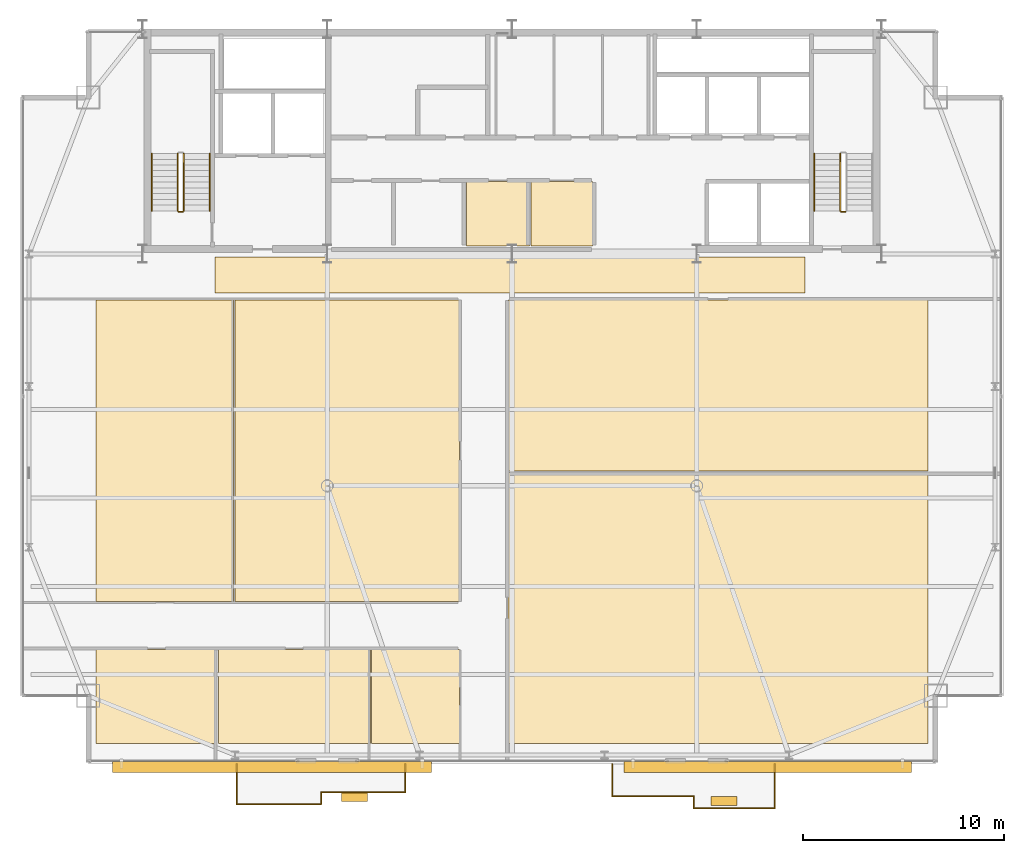
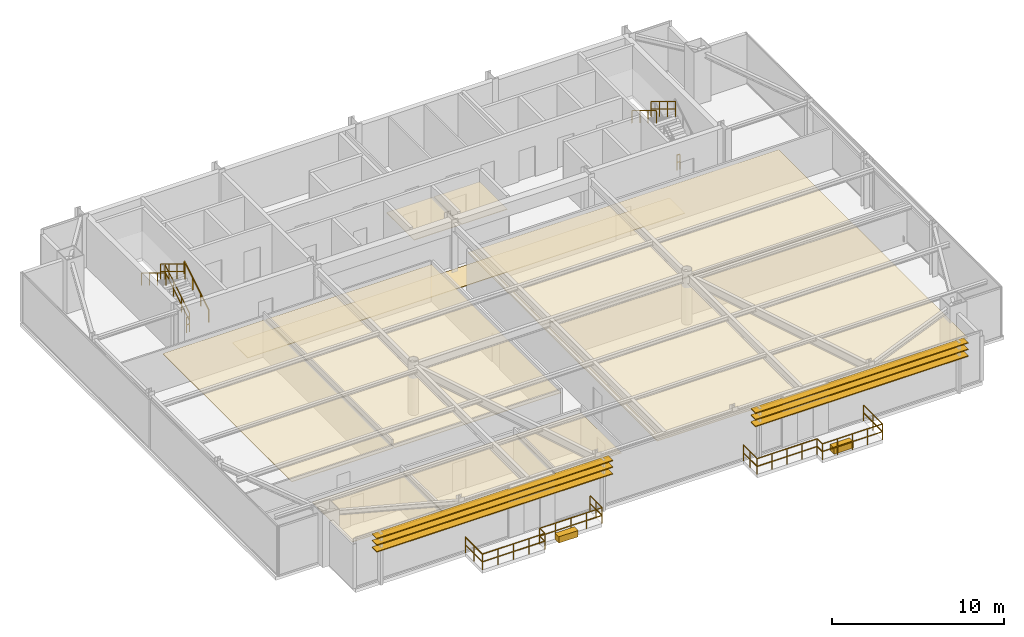
# One storey, part 29 of 30: 18 railings, 12 coverings, 6 shading devices.
"""IFC4 building model written with IfcOpenShell, lengths in metres."""

from ifc_helpers import new_model, si_unit, direction, frame, origin, origin_2d, place, context, subcontext, project, spatial, polyline, rectangle, outline, extrude, source, transform, mapped, material, layer, layer_set, type_object, type_shapes, element, save


model = new_model("IFC4")

# Units and contexts
model_context = context("Model", 3, precision=1e-05, world=origin(), true_north=direction((0.0, 1.0)))
body_context = subcontext(model_context, "Body", "Model", "MODEL_VIEW")
ifc_project = project(units=[si_unit("LENGTHUNIT", "METRE"), si_unit("AREAUNIT", "SQUARE_METRE"), si_unit("VOLUMEUNIT", "CUBIC_METRE"), si_unit("PLANEANGLEUNIT", "RADIAN"), si_unit("MASSUNIT", "GRAM", prefix="KILO")], contexts=[model_context])

# Site, building, storey
site_placement = place(None, origin())
site = spatial("IfcSite", under=ifc_project, at=site_placement, CompositionType="ELEMENT")
building_placement = place(site_placement, origin())
building = spatial("IfcBuilding", under=site, at=building_placement, Name="Varnel Quay Broadcast Tower", CompositionType="ELEMENT")
storey_placement = place(building_placement, frame((0.0, 0.0, 222.60009765625)))
storey = spatial("IfcBuildingStorey", under=building, at=storey_placement, Name="L55", CompositionType="ELEMENT", Elevation=222.60009765625)

# Coverings
ifc_material_1 = material(Name="Micro-Perforated Acoustic Ceiling Tile")
ifc_layer_1 = layer(ifc_material_1, 0.0400390625, Name="Micro-Perforated Acoustic Ceiling Tile")
ifc_layer_set_1 = layer_set([ifc_layer_1], Name="Micro-Perforated Acoustic Ceiling Tile")
covering_type_1 = type_object("IfcCoveringType", Name="Cov_AcousticCeiling", PredefinedType="CEILING", material=ifc_layer_set_1)
covering_1_placement = place(storey_placement, frame((0.0, 0.0, 2.579833984375)))
element("IfcCovering", 1, at=covering_1_placement, inside=storey, type_object=covering_type_1, Name="L55 Broadcast First-Aid & Quiet Room Acoustic Ceiling", PredefinedType="CEILING", context=body_context, shape_type="SweptSolid", body=[
    extrude(outline(polyline([(31.735107421875, 35.985107421875), (34.864990234375, 35.985107421875), (34.864990234375, 39.215087890625), (31.735107421875, 39.215087890625), (31.735107421875, 35.985107421875)])), origin(), (0.0, 0.0, 1.0), 0.0400390625),
])
covering_2_placement = place(storey_placement, frame((0.0, 0.0, 2.579833984375)))
element("IfcCovering", 2, at=covering_2_placement, inside=storey, type_object=covering_type_1, Name="L55 Zone Lighting Dimmer Room Acoustic Ceiling", PredefinedType="CEILING", context=body_context, shape_type="SweptSolid", body=[
    extrude(outline(polyline([(34.93505859375, 35.985107421875), (38.014892578125, 35.985107421875), (38.014892578125, 39.215087890625), (34.93505859375, 39.215087890625), (34.93505859375, 35.985107421875)])), origin(), (0.0, 0.0, 1.0), 0.0400390625),
])
covering_3_placement = place(storey_placement, frame((0.0, 0.0, 2.579833984375)))
element("IfcCovering", 3, at=covering_3_placement, inside=storey, type_object=covering_type_1, Name="L55 Tea Kitchen 1 Acoustic Ceiling", PredefinedType="CEILING", context=body_context, shape_type="SweptSolid", body=[
    extrude(outline(polyline([(13.284912109375, 11.22509765625), (19.304931640625, 11.22509765625), (19.304931640625, 15.9150390625), (13.284912109375, 15.9150390625), (13.284912109375, 11.22509765625)])), origin(), (0.0, 0.0, 1.0), 0.0400390625),
])
covering_4_placement = place(storey_placement, frame((0.0, 0.0, 2.579833984375)))
element("IfcCovering", 4, at=covering_4_placement, inside=storey, type_object=covering_type_1, Name="L55 Media Tape Archive Store 2 Acoustic Ceiling", PredefinedType="CEILING", context=body_context, shape_type="SweptSolid", body=[
    extrude(outline(polyline([(19.375, 11.22509765625), (26.945068359375, 11.22509765625), (26.945068359375, 15.9150390625), (19.375, 15.9150390625), (19.375, 11.22509765625)])), origin(), (0.0, 0.0, 1.0), 0.0400390625),
])
covering_5_placement = place(storey_placement, frame((0.0, 0.0, 2.579833984375)))
element("IfcCovering", 5, at=covering_5_placement, inside=storey, type_object=covering_type_1, Name="L55 Lens & Rigging Store 3 Acoustic Ceiling", PredefinedType="CEILING", context=body_context, shape_type="SweptSolid", body=[
    extrude(outline(polyline([(27.014892578125, 11.22509765625), (31.385009765625, 11.22509765625), (31.385009765625, 15.9150390625), (27.014892578125, 15.9150390625), (27.014892578125, 11.22509765625)])), origin(), (0.0, 0.0, 1.0), 0.0400390625),
])
covering_6_placement = place(storey_placement, frame((0.0, 0.0, 2.579833984375)))
element("IfcCovering", 6, at=covering_6_placement, inside=storey, type_object=covering_type_1, Name="L55 Ingest Vault Store 4 Acoustic Ceiling", PredefinedType="CEILING", context=body_context, shape_type="SweptSolid", body=[
    extrude(outline(polyline([(13.284912109375, 18.284912109375), (20.14501953125, 18.284912109375), (20.14501953125, 33.31494140625), (13.284912109375, 33.31494140625), (13.284912109375, 18.284912109375)])), origin(), (0.0, 0.0, 1.0), 0.0400390625),
])
covering_7_placement = place(storey_placement, frame((0.0, 0.0, 2.579833984375)))
element("IfcCovering", 7, at=covering_7_placement, inside=storey, type_object=covering_type_1, Name="L55 Color Timing Suite 5 Acoustic Ceiling", PredefinedType="CEILING", context=body_context, shape_type="SweptSolid", body=[
    extrude(outline(polyline([(20.215087890625, 18.284912109375), (31.385009765625, 18.284912109375), (31.385009765625, 33.31494140625), (20.215087890625, 33.31494140625), (20.215087890625, 18.284912109375)])), origin(), (0.0, 0.0, 1.0), 0.0400390625),
])
covering_8_placement = place(storey_placement, frame((0.0, 0.0, 2.579833984375)))
element("IfcCovering", 8, at=covering_8_placement, inside=storey, type_object=covering_type_1, Name="L55 Screening Meeting Room 6 Acoustic Ceiling", PredefinedType="CEILING", context=body_context, shape_type="SweptSolid", body=[
    extrude(outline(polyline([(33.804931640625, 11.22509765625), (54.715087890625, 11.22509765625), (54.715087890625, 24.72509765625), (33.804931640625, 24.72509765625), (33.804931640625, 11.22509765625)])), origin(), (0.0, 0.0, 1.0), 0.0400390625),
])
covering_9_placement = place(storey_placement, frame((0.0, 0.0, 2.579833984375)))
element("IfcCovering", 9, at=covering_9_placement, inside=storey, type_object=covering_type_1, Name="L55 Producer Lounge 7 Acoustic Ceiling", PredefinedType="CEILING", context=body_context, shape_type="SweptSolid", body=[
    extrude(outline(polyline([(33.804931640625, 24.794921875), (54.715087890625, 24.794921875), (54.715087890625, 33.31494140625), (33.804931640625, 33.31494140625), (33.804931640625, 24.794921875)])), origin(), (0.0, 0.0, 1.0), 0.0400390625),
])
ifc_material_2 = material(Name="Polished Terrazzo & Broadcast Raised Flooring")
ifc_layer_2 = layer(ifc_material_2, 0.0400390625, Name="Polished Terrazzo & Broadcast Raised Flooring")
ifc_layer_set_2 = layer_set([ifc_layer_2], Name="Polished Terrazzo & Broadcast Raised Flooring")
covering_type_2 = type_object("IfcCoveringType", Name="Cov_TerrazzoFloor", PredefinedType="FLOORING", material=ifc_layer_set_2)
covering_10_placement = place(storey_placement, origin())
element("IfcCovering", 10, at=covering_10_placement, inside=storey, type_object=covering_type_2, Name="L55 Corridor Terrazzo Flooring", PredefinedType="FLOORING", context=body_context, shape_type="SweptSolid", body=[
    extrude(outline(polyline([(19.199951171875, 33.64990234375), (48.60009765625, 33.64990234375), (48.60009765625, 35.449951171875), (19.199951171875, 35.449951171875), (19.199951171875, 33.64990234375)])), origin(), (0.0, 0.0, 1.0), 0.039794921875),
])

# Railings
ifc_material_3 = material(Name="Anodised Bronze Aluminium 6063-T6", Category="aluminium")
railing_type_1 = type_object("IfcRailingType", Name="Rail_Balustrade1150", PredefinedType="BALUSTRADE", material=ifc_material_3)
railing_1_placement = place(storey_placement, frame((20.2900390625, 8.201904296875, 0.0)))
element("IfcRailing", 11, at=railing_1_placement, inside=storey, type_object=railing_type_1, Name="L55 Terrace 1 Guard 1", PredefinedType="BALUSTRADE", context=body_context, shape_type="SweptSolid", body=[
    extrude(rectangle(XDim=0.048095703125, YDim=0.048095703125, at=origin_2d()), frame((0.0, 0.0, 1.1259765625), z_axis=(1.0, 0.0, 0.0), x_axis=(0.0, 1.0, 0.0)), (0.0, 0.0, 1.0), 4.199951171875),
    extrude(rectangle(XDim=0.048095703125, YDim=0.048095703125, at=origin_2d()), frame((0.0, 0.0, 0.574951171875), z_axis=(1.0, 0.0, 0.0), x_axis=(0.0, 1.0, 0.0)), (0.0, 0.0, 1.0), 4.199951171875),
    extrude(rectangle(XDim=0.0419921875, YDim=0.0419921875, at=origin_2d()), origin(), (0.0, 0.0, 1.0), 1.101806640625),
    extrude(rectangle(XDim=0.0419921875, YDim=0.0419921875, at=origin_2d()), frame((1.050048828125, 0.0, 0.0)), (0.0, 0.0, 1.0), 1.101806640625),
    extrude(rectangle(XDim=0.0419921875, YDim=0.0419921875, at=origin_2d()), frame((2.10009765625, 0.0, 0.0)), (0.0, 0.0, 1.0), 1.101806640625),
    extrude(rectangle(XDim=0.0419921875, YDim=0.0419921875, at=origin_2d()), frame((3.14990234375, 0.0, 0.0)), (0.0, 0.0, 1.0), 1.101806640625),
    extrude(rectangle(XDim=0.0419921875, YDim=0.0419921875, at=origin_2d()), frame((4.199951171875, 0.0, 0.0)), (0.0, 0.0, 1.0), 1.101806640625),
])
railing_2_placement = place(storey_placement, frame((24.489990234375, 8.201904296875, 0.0)))
element("IfcRailing", 12, at=railing_2_placement, inside=storey, type_object=railing_type_1, Name="L55 Terrace 1 Guard 2", PredefinedType="BALUSTRADE", context=body_context, shape_type="SweptSolid", body=[
    extrude(rectangle(XDim=0.048095703125, YDim=0.048095703125, at=origin_2d()), frame((0.0, 0.0, 1.1259765625), z_axis=(0.0, 1.0, 0.0), x_axis=(-1.0, 0.0, 0.0)), (0.0, 0.0, 1.0), 0.60009765625),
    extrude(rectangle(XDim=0.048095703125, YDim=0.048095703125, at=origin_2d()), frame((0.0, 0.0, 0.574951171875), z_axis=(0.0, 1.0, 0.0), x_axis=(-1.0, 0.0, 0.0)), (0.0, 0.0, 1.0), 0.60009765625),
    extrude(rectangle(XDim=0.0419921875, YDim=0.0419921875, at=origin_2d()), origin(), (0.0, 0.0, 1.0), 1.101806640625),
    extrude(rectangle(XDim=0.0419921875, YDim=0.0419921875, at=origin_2d()), frame((0.0, 0.60009765625, 0.0)), (0.0, 0.0, 1.0), 1.101806640625),
])
railing_3_placement = place(storey_placement, frame((24.489990234375, 8.802001953125, 0.0)))
element("IfcRailing", 13, at=railing_3_placement, inside=storey, type_object=railing_type_1, Name="L55 Terrace 1 Guard 3", PredefinedType="BALUSTRADE", context=body_context, shape_type="SweptSolid", body=[
    extrude(rectangle(XDim=0.048095703125, YDim=0.048095703125, at=origin_2d()), frame((0.0, 0.0, 1.1259765625), z_axis=(1.0, 0.0, 0.0), x_axis=(0.0, 1.0, 0.0)), (0.0, 0.0, 1.0), 4.199951171875),
    extrude(rectangle(XDim=0.048095703125, YDim=0.048095703125, at=origin_2d()), frame((0.0, 0.0, 0.574951171875), z_axis=(1.0, 0.0, 0.0), x_axis=(0.0, 1.0, 0.0)), (0.0, 0.0, 1.0), 4.199951171875),
    extrude(rectangle(XDim=0.0419921875, YDim=0.0419921875, at=origin_2d()), origin(), (0.0, 0.0, 1.0), 1.101806640625),
    extrude(rectangle(XDim=0.0419921875, YDim=0.0419921875, at=origin_2d()), frame((1.050048828125, 0.0, 0.0)), (0.0, 0.0, 1.0), 1.101806640625),
    extrude(rectangle(XDim=0.0419921875, YDim=0.0419921875, at=origin_2d()), frame((2.10009765625, 0.0, 0.0)), (0.0, 0.0, 1.0), 1.101806640625),
    extrude(rectangle(XDim=0.0419921875, YDim=0.0419921875, at=origin_2d()), frame((3.14990234375, 0.0, 0.0)), (0.0, 0.0, 1.0), 1.101806640625),
    extrude(rectangle(XDim=0.0419921875, YDim=0.0419921875, at=origin_2d()), frame((4.199951171875, 0.0, 0.0)), (0.0, 0.0, 1.0), 1.101806640625),
])
railing_4_placement = place(storey_placement, frame((28.68994140625, 8.802001953125, 0.0)))
element("IfcRailing", 14, at=railing_4_placement, inside=storey, type_object=railing_type_1, Name="L55 Terrace 1 Guard 4", PredefinedType="BALUSTRADE", context=body_context, shape_type="SweptSolid", body=[
    extrude(rectangle(XDim=0.048095703125, YDim=0.048095703125, at=origin_2d()), frame((0.0, 0.0, 1.1259765625), z_axis=(0.0, 1.0, 0.0), x_axis=(-1.0, 0.0, 0.0)), (0.0, 0.0, 1.0), 1.39794921875),
    extrude(rectangle(XDim=0.048095703125, YDim=0.048095703125, at=origin_2d()), frame((0.0, 0.0, 0.574951171875), z_axis=(0.0, 1.0, 0.0), x_axis=(-1.0, 0.0, 0.0)), (0.0, 0.0, 1.0), 1.39794921875),
    extrude(rectangle(XDim=0.0419921875, YDim=0.0419921875, at=origin_2d()), origin(), (0.0, 0.0, 1.0), 1.101806640625),
    extrude(rectangle(XDim=0.0419921875, YDim=0.0419921875, at=origin_2d()), frame((0.0, 0.698974609375, 0.0)), (0.0, 0.0, 1.0), 1.101806640625),
    extrude(rectangle(XDim=0.0419921875, YDim=0.0419921875, at=origin_2d()), frame((0.0, 1.39794921875, 0.0)), (0.0, 0.0, 1.0), 1.101806640625),
])
railing_5_placement = place(storey_placement, frame((20.2900390625, 10.199951171875, 0.0)))
element("IfcRailing", 15, at=railing_5_placement, inside=storey, type_object=railing_type_1, Name="L55 Terrace 1 Guard 6", PredefinedType="BALUSTRADE", context=body_context, shape_type="SweptSolid", body=[
    extrude(rectangle(XDim=0.048095703125, YDim=0.048095703125, at=origin_2d()), frame((0.0, 0.0, 1.1259765625), z_axis=(0.0, -1.0, 0.0), x_axis=(1.0, 0.0, 0.0)), (0.0, 0.0, 1.0), 1.998046875),
    extrude(rectangle(XDim=0.048095703125, YDim=0.048095703125, at=origin_2d()), frame((0.0, 0.0, 0.574951171875), z_axis=(0.0, -1.0, 0.0), x_axis=(1.0, 0.0, 0.0)), (0.0, 0.0, 1.0), 1.998046875),
    extrude(rectangle(XDim=0.0419921875, YDim=0.0419921875, at=origin_2d()), origin(), (0.0, 0.0, 1.0), 1.101806640625),
    extrude(rectangle(XDim=0.0419921875, YDim=0.0419921875, at=origin_2d()), frame((0.0, -0.9990234375, 0.0)), (0.0, 0.0, 1.0), 1.101806640625),
    extrude(rectangle(XDim=0.0419921875, YDim=0.0419921875, at=origin_2d()), frame((0.0, -1.998046875, 0.0)), (0.0, 0.0, 1.0), 1.101806640625),
])
railing_6_placement = place(storey_placement, frame((39.0, 8.597900390625, 0.0)))
element("IfcRailing", 16, at=railing_6_placement, inside=storey, type_object=railing_type_1, Name="L55 Terrace 2 Guard 1", PredefinedType="BALUSTRADE", context=body_context, shape_type="SweptSolid", body=[
    extrude(rectangle(XDim=0.048095703125, YDim=0.048095703125, at=origin_2d()), frame((0.0, 0.0, 1.1259765625), z_axis=(1.0, 0.0, 0.0), x_axis=(0.0, 1.0, 0.0)), (0.0, 0.0, 1.0), 4.044921875),
    extrude(rectangle(XDim=0.048095703125, YDim=0.048095703125, at=origin_2d()), frame((0.0, 0.0, 0.574951171875), z_axis=(1.0, 0.0, 0.0), x_axis=(0.0, 1.0, 0.0)), (0.0, 0.0, 1.0), 4.044921875),
    extrude(rectangle(XDim=0.0419921875, YDim=0.0419921875, at=origin_2d()), origin(), (0.0, 0.0, 1.0), 1.101806640625),
    extrude(rectangle(XDim=0.0419921875, YDim=0.0419921875, at=origin_2d()), frame((1.01123046875, 0.0, 0.0)), (0.0, 0.0, 1.0), 1.101806640625),
    extrude(rectangle(XDim=0.0419921875, YDim=0.0419921875, at=origin_2d()), frame((2.0224609375, 0.0, 0.0)), (0.0, 0.0, 1.0), 1.101806640625),
    extrude(rectangle(XDim=0.0419921875, YDim=0.0419921875, at=origin_2d()), frame((3.03369140625, 0.0, 0.0)), (0.0, 0.0, 1.0), 1.101806640625),
    extrude(rectangle(XDim=0.0419921875, YDim=0.0419921875, at=origin_2d()), frame((4.044921875, 0.0, 0.0)), (0.0, 0.0, 1.0), 1.101806640625),
])
railing_7_placement = place(storey_placement, frame((43.044921875, 8.597900390625, 0.0)))
element("IfcRailing", 17, at=railing_7_placement, inside=storey, type_object=railing_type_1, Name="L55 Terrace 2 Guard 2", PredefinedType="BALUSTRADE", context=body_context, shape_type="SweptSolid", body=[
    extrude(rectangle(XDim=0.048095703125, YDim=0.048095703125, at=origin_2d()), frame((0.0, 0.0, 1.1259765625), z_axis=(0.0, -1.0, 0.0), x_axis=(1.0, 0.0, 0.0)), (0.0, 0.0, 1.0), 0.599853515625),
    extrude(rectangle(XDim=0.048095703125, YDim=0.048095703125, at=origin_2d()), frame((0.0, 0.0, 0.574951171875), z_axis=(0.0, -1.0, 0.0), x_axis=(1.0, 0.0, 0.0)), (0.0, 0.0, 1.0), 0.599853515625),
    extrude(rectangle(XDim=0.0419921875, YDim=0.0419921875, at=origin_2d()), origin(), (0.0, 0.0, 1.0), 1.101806640625),
    extrude(rectangle(XDim=0.0419921875, YDim=0.0419921875, at=origin_2d()), frame((0.0, -0.599853515625, 0.0)), (0.0, 0.0, 1.0), 1.101806640625),
])
railing_8_placement = place(storey_placement, frame((43.044921875, 7.998046875, 0.0)))
element("IfcRailing", 18, at=railing_8_placement, inside=storey, type_object=railing_type_1, Name="L55 Terrace 2 Guard 3", PredefinedType="BALUSTRADE", context=body_context, shape_type="SweptSolid", body=[
    extrude(rectangle(XDim=0.048095703125, YDim=0.048095703125, at=origin_2d()), frame((0.0, 0.0, 1.1259765625), z_axis=(1.0, 0.0, 0.0), x_axis=(0.0, 1.0, 0.0)), (0.0, 0.0, 1.0), 4.045166015625),
    extrude(rectangle(XDim=0.048095703125, YDim=0.048095703125, at=origin_2d()), frame((0.0, 0.0, 0.574951171875), z_axis=(1.0, 0.0, 0.0), x_axis=(0.0, 1.0, 0.0)), (0.0, 0.0, 1.0), 4.045166015625),
    extrude(rectangle(XDim=0.0419921875, YDim=0.0419921875, at=origin_2d()), origin(), (0.0, 0.0, 1.0), 1.101806640625),
    extrude(rectangle(XDim=0.0419921875, YDim=0.0419921875, at=origin_2d()), frame((1.01123046875, 0.0, 0.0)), (0.0, 0.0, 1.0), 1.101806640625),
    extrude(rectangle(XDim=0.0419921875, YDim=0.0419921875, at=origin_2d()), frame((2.0224609375, 0.0, 0.0)), (0.0, 0.0, 1.0), 1.101806640625),
    extrude(rectangle(XDim=0.0419921875, YDim=0.0419921875, at=origin_2d()), frame((3.033935546875, 0.0, 0.0)), (0.0, 0.0, 1.0), 1.101806640625),
    extrude(rectangle(XDim=0.0419921875, YDim=0.0419921875, at=origin_2d()), frame((4.045166015625, 0.0, 0.0)), (0.0, 0.0, 1.0), 1.101806640625),
])
railing_9_placement = place(storey_placement, frame((47.090087890625, 7.998046875, 0.0)))
element("IfcRailing", 19, at=railing_9_placement, inside=storey, type_object=railing_type_1, Name="L55 Terrace 2 Guard 4", PredefinedType="BALUSTRADE", context=body_context, shape_type="SweptSolid", body=[
    extrude(rectangle(XDim=0.048095703125, YDim=0.048095703125, at=origin_2d()), frame((0.0, 0.0, 1.1259765625), z_axis=(0.0, 1.0, 0.0), x_axis=(-1.0, 0.0, 0.0)), (0.0, 0.0, 1.0), 2.201904296875),
    extrude(rectangle(XDim=0.048095703125, YDim=0.048095703125, at=origin_2d()), frame((0.0, 0.0, 0.574951171875), z_axis=(0.0, 1.0, 0.0), x_axis=(-1.0, 0.0, 0.0)), (0.0, 0.0, 1.0), 2.201904296875),
    extrude(rectangle(XDim=0.0419921875, YDim=0.0419921875, at=origin_2d()), origin(), (0.0, 0.0, 1.0), 1.101806640625),
    extrude(rectangle(XDim=0.0419921875, YDim=0.0419921875, at=origin_2d()), frame((0.0, 1.10107421875, 0.0)), (0.0, 0.0, 1.0), 1.101806640625),
    extrude(rectangle(XDim=0.0419921875, YDim=0.0419921875, at=origin_2d()), frame((0.0, 2.201904296875, 0.0)), (0.0, 0.0, 1.0), 1.101806640625),
])
railing_10_placement = place(storey_placement, frame((39.0, 10.199951171875, 0.0)))
element("IfcRailing", 20, at=railing_10_placement, inside=storey, type_object=railing_type_1, Name="L55 Terrace 2 Guard 6", PredefinedType="BALUSTRADE", context=body_context, shape_type="SweptSolid", body=[
    extrude(rectangle(XDim=0.048095703125, YDim=0.048095703125, at=origin_2d()), frame((0.0, 0.0, 1.1259765625), z_axis=(0.0, -1.0, 0.0), x_axis=(1.0, 0.0, 0.0)), (0.0, 0.0, 1.0), 1.60205078125),
    extrude(rectangle(XDim=0.048095703125, YDim=0.048095703125, at=origin_2d()), frame((0.0, 0.0, 0.574951171875), z_axis=(0.0, -1.0, 0.0), x_axis=(1.0, 0.0, 0.0)), (0.0, 0.0, 1.0), 1.60205078125),
    extrude(rectangle(XDim=0.0419921875, YDim=0.0419921875, at=origin_2d()), origin(), (0.0, 0.0, 1.0), 1.101806640625),
    extrude(rectangle(XDim=0.0419921875, YDim=0.0419921875, at=origin_2d()), frame((0.0, -0.801025390625, 0.0)), (0.0, 0.0, 1.0), 1.101806640625),
    extrude(rectangle(XDim=0.0419921875, YDim=0.0419921875, at=origin_2d()), frame((0.0, -1.60205078125, 0.0)), (0.0, 0.0, 1.0), 1.101806640625),
])
ifc_material_4 = material(Name="Painted Steel Guard and Handrail CSA G40.21 350W", Category="steel")
railing_type_2 = type_object("IfcRailingType", Name="Rail_StairGuard1100", PredefinedType="GUARDRAIL", material=ifc_material_4)
railing_11_placement = place(storey_placement, frame((17.64990234375, 37.75, 0.172607421875)))
element("IfcRailing", 21, at=railing_11_placement, inside=storey, type_object=railing_type_2, Name="L55 ST-01 stair guard 1", PredefinedType="GUARDRAIL", context=body_context, shape_type="SweptSolid", body=[
    extrude(rectangle(XDim=0.048095703125, YDim=0.048095703125, at=origin_2d()), frame((0.0, 0.0, 1.076171875), z_axis=(0.0, 0.855202751398, 0.518293598264), x_axis=(-1.0, 0.0, 0.0)), (0.0, 0.0, 1.0), 3.332763671875),
    extrude(rectangle(XDim=0.048095703125, YDim=0.048095703125, at=origin_2d()), frame((0.0, 0.0, 0.550048828125), z_axis=(0.0, 0.855202751398, 0.518293598264), x_axis=(-1.0, 0.0, 0.0)), (0.0, 0.0, 1.0), 3.332763671875),
    extrude(rectangle(XDim=0.0419921875, YDim=0.0419921875, at=origin_2d()), origin(), (0.0, 0.0, 1.0), 1.052001953125),
    extrude(rectangle(XDim=0.0419921875, YDim=0.0419921875, at=origin_2d()), frame((0.0, 0.949951171875, 0.57568359375)), (0.0, 0.0, 1.0), 1.052001953125),
    extrude(rectangle(XDim=0.0419921875, YDim=0.0419921875, at=origin_2d()), frame((0.0, 1.900146484375, 1.151611328125)), (0.0, 0.0, 1.0), 1.052001953125),
    extrude(rectangle(XDim=0.0419921875, YDim=0.0419921875, at=origin_2d()), frame((0.0, 2.85009765625, 1.727294921875)), (0.0, 0.0, 1.0), 1.052001953125),
])
railing_12_placement = place(storey_placement, frame((17.35009765625, 40.60009765625, 2.072509765625)))
element("IfcRailing", 22, at=railing_12_placement, inside=storey, type_object=railing_type_2, Name="L55 ST-01 stair guard 3", PredefinedType="GUARDRAIL", context=body_context, shape_type="SweptSolid", body=[
    extrude(rectangle(XDim=0.048095703125, YDim=0.048095703125, at=origin_2d()), frame((0.0, 0.0, 1.076171875), z_axis=(0.0, -0.855202751398, 0.518293598264), x_axis=(1.0, 0.0, 0.0)), (0.0, 0.0, 1.0), 3.332763671875),
    extrude(rectangle(XDim=0.048095703125, YDim=0.048095703125, at=origin_2d()), frame((0.0, 0.0, 0.550048828125), z_axis=(0.0, -0.855202751398, 0.518293598264), x_axis=(1.0, 0.0, 0.0)), (0.0, 0.0, 1.0), 3.332763671875),
    extrude(rectangle(XDim=0.0419921875, YDim=0.0419921875, at=origin_2d()), origin(), (0.0, 0.0, 1.0), 1.052001953125),
    extrude(rectangle(XDim=0.0419921875, YDim=0.0419921875, at=origin_2d()), frame((0.0, -0.949951171875, 0.57568359375)), (0.0, 0.0, 1.0), 1.052001953125),
    extrude(rectangle(XDim=0.0419921875, YDim=0.0419921875, at=origin_2d()), frame((0.0, -1.900146484375, 1.151611328125)), (0.0, 0.0, 1.0), 1.052001953125),
    extrude(rectangle(XDim=0.0419921875, YDim=0.0419921875, at=origin_2d()), frame((0.0, -2.85009765625, 1.727294921875)), (0.0, 0.0, 1.0), 1.052001953125),
])
railing_13_placement = place(storey_placement, frame((17.60009765625, 37.699951171875, 0.0)))
element("IfcRailing", 23, at=railing_13_placement, inside=storey, type_object=railing_type_2, Name="L55 ST-01 stair guard 4", PredefinedType="GUARDRAIL", context=body_context, shape_type="SweptSolid", body=[
    extrude(rectangle(XDim=0.048095703125, YDim=0.048095703125, at=origin_2d()), frame((0.0, 0.0, 1.076171875), z_axis=(-1.0, 0.0, 0.0), x_axis=(0.0, -1.0, 0.0)), (0.0, 0.0, 1.0), 0.2001953125),
    extrude(rectangle(XDim=0.048095703125, YDim=0.048095703125, at=origin_2d()), frame((0.0, 0.0, 0.550048828125), z_axis=(-1.0, 0.0, 0.0), x_axis=(0.0, -1.0, 0.0)), (0.0, 0.0, 1.0), 0.2001953125),
    extrude(rectangle(XDim=0.0419921875, YDim=0.0419921875, at=origin_2d()), origin(), (0.0, 0.0, 1.0), 1.052001953125),
    extrude(rectangle(XDim=0.0419921875, YDim=0.0419921875, at=origin_2d()), frame((-0.2001953125, 0.0, 0.0)), (0.0, 0.0, 1.0), 1.052001953125),
])
railing_14_placement = place(storey_placement, frame((50.35009765625, 40.60009765625, 2.072509765625)))
element("IfcRailing", 24, at=railing_14_placement, inside=storey, type_object=railing_type_2, Name="L55 ST-02 stair guard 3", PredefinedType="GUARDRAIL", context=body_context, shape_type="SweptSolid", body=[
    extrude(rectangle(XDim=0.048095703125, YDim=0.048095703125, at=origin_2d()), frame((0.0, 0.0, 1.076171875), z_axis=(0.0, -0.855202751398, 0.518293598264), x_axis=(1.0, 0.0, 0.0)), (0.0, 0.0, 1.0), 3.332763671875),
    extrude(rectangle(XDim=0.048095703125, YDim=0.048095703125, at=origin_2d()), frame((0.0, 0.0, 0.550048828125), z_axis=(0.0, -0.855202751398, 0.518293598264), x_axis=(1.0, 0.0, 0.0)), (0.0, 0.0, 1.0), 3.332763671875),
    extrude(rectangle(XDim=0.0419921875, YDim=0.0419921875, at=origin_2d()), origin(), (0.0, 0.0, 1.0), 1.052001953125),
    extrude(rectangle(XDim=0.0419921875, YDim=0.0419921875, at=origin_2d()), frame((0.0, -0.949951171875, 0.57568359375)), (0.0, 0.0, 1.0), 1.052001953125),
    extrude(rectangle(XDim=0.0419921875, YDim=0.0419921875, at=origin_2d()), frame((0.0, -1.900146484375, 1.151611328125)), (0.0, 0.0, 1.0), 1.052001953125),
    extrude(rectangle(XDim=0.0419921875, YDim=0.0419921875, at=origin_2d()), frame((0.0, -2.85009765625, 1.727294921875)), (0.0, 0.0, 1.0), 1.052001953125),
])
railing_15_placement = place(storey_placement, frame((50.60009765625, 37.699951171875, 0.0)))
element("IfcRailing", 25, at=railing_15_placement, inside=storey, type_object=railing_type_2, Name="L55 ST-02 stair guard 4", PredefinedType="GUARDRAIL", context=body_context, shape_type="SweptSolid", body=[
    extrude(rectangle(XDim=0.048095703125, YDim=0.048095703125, at=origin_2d()), frame((0.0, 0.0, 1.076171875), z_axis=(-1.0, 0.0, 0.0), x_axis=(0.0, -1.0, 0.0)), (0.0, 0.0, 1.0), 0.2001953125),
    extrude(rectangle(XDim=0.048095703125, YDim=0.048095703125, at=origin_2d()), frame((0.0, 0.0, 0.550048828125), z_axis=(-1.0, 0.0, 0.0), x_axis=(0.0, -1.0, 0.0)), (0.0, 0.0, 1.0), 0.2001953125),
    extrude(rectangle(XDim=0.0419921875, YDim=0.0419921875, at=origin_2d()), origin(), (0.0, 0.0, 1.0), 1.052001953125),
    extrude(rectangle(XDim=0.0419921875, YDim=0.0419921875, at=origin_2d()), frame((-0.2001953125, 0.0, 0.0)), (0.0, 0.0, 1.0), 1.052001953125),
])
railing_type_3 = type_object("IfcRailingType", Name="Rail_StairHandrail900", PredefinedType="HANDRAIL", material=ifc_material_4)
railing_16_placement = place(storey_placement, frame((18.949951171875, 37.75, 0.172607421875)))
element("IfcRailing", 26, at=railing_16_placement, inside=storey, type_object=railing_type_3, Name="L55 ST-01 stair handrail 1", PredefinedType="HANDRAIL", context=body_context, shape_type="SweptSolid", body=[
    extrude(rectangle(XDim=0.048095703125, YDim=0.048095703125, at=origin_2d()), frame((0.0, 0.0, 0.8759765625), z_axis=(0.0, 0.855202751398, 0.518293598264), x_axis=(-1.0, 0.0, 0.0)), (0.0, 0.0, 1.0), 3.332763671875),
    extrude(rectangle(XDim=0.0419921875, YDim=0.0419921875, at=origin_2d()), origin(), (0.0, 0.0, 1.0), 0.851806640625),
    extrude(rectangle(XDim=0.0419921875, YDim=0.0419921875, at=origin_2d()), frame((0.0, 0.949951171875, 0.57568359375)), (0.0, 0.0, 1.0), 0.851806640625),
    extrude(rectangle(XDim=0.0419921875, YDim=0.0419921875, at=origin_2d()), frame((0.0, 1.900146484375, 1.151611328125)), (0.0, 0.0, 1.0), 0.851806640625),
    extrude(rectangle(XDim=0.0419921875, YDim=0.0419921875, at=origin_2d()), frame((0.0, 2.85009765625, 1.727294921875)), (0.0, 0.0, 1.0), 0.851806640625),
])
for number, where, name in (
    (27, (16.050048828125, 40.60009765625, 2.072509765625), "L55 ST-01 stair handrail 2"),
    (28, (49.050048828125, 40.60009765625, 2.072509765625), "L55 ST-02 stair handrail 2"),
):
    element("IfcRailing", number, at=place(storey_placement, frame(where)), inside=storey, type_object=railing_type_3, Name=name, PredefinedType="HANDRAIL", context=body_context, shape_type="SweptSolid", body=[
        extrude(rectangle(XDim=0.048095703125, YDim=0.048095703125, at=origin_2d()), frame((0.0, 0.0, 0.8759765625), z_axis=(0.0, -0.855202751398, 0.518293598264), x_axis=(1.0, 0.0, 0.0)), (0.0, 0.0, 1.0), 3.332763671875),
        extrude(rectangle(XDim=0.0419921875, YDim=0.0419921875, at=origin_2d()), origin(), (0.0, 0.0, 1.0), 0.851806640625),
        extrude(rectangle(XDim=0.0419921875, YDim=0.0419921875, at=origin_2d()), frame((0.0, -0.949951171875, 0.57568359375)), (0.0, 0.0, 1.0), 0.851806640625),
        extrude(rectangle(XDim=0.0419921875, YDim=0.0419921875, at=origin_2d()), frame((0.0, -1.900146484375, 1.151611328125)), (0.0, 0.0, 1.0), 0.851806640625),
        extrude(rectangle(XDim=0.0419921875, YDim=0.0419921875, at=origin_2d()), frame((0.0, -2.85009765625, 1.727294921875)), (0.0, 0.0, 1.0), 0.851806640625),
    ])

# Coverings
ifc_material_5 = material(Name="Bronze-Terracotta Extruded Ceramic Blade", Category="masonry")
ifc_layer_3 = layer(ifc_material_5, 0.449951171875, Name="Bronze-Terracotta Extruded Ceramic Blade")
ifc_layer_set_3 = layer_set([ifc_layer_3], Name="Bronze-Terracotta Extruded Ceramic Blade")
covering_type_3 = type_object("IfcCoveringType", Name="Cov_BronzePlanter", PredefinedType="CLADDING", material=ifc_layer_set_3)
shared_shape_1 = source(origin(), body_context, "Body", "SweptSolid", [
    extrude(rectangle(XDim=1.300048828125, YDim=0.449951171875, at=origin_2d()), origin(), (0.0, 0.0, 1.0), 0.449951171875),
])
type_shapes(covering_type_3, [shared_shape_1])
for number, where, z_axis, x_axis, name in (
    (29, (26.14990234375, 8.552001953125, 0.0), (0.0, 0.0, 1.0), (1.0, 0.0, 0.0), "L55 Terrace 1 Bronze Planter"),
    (30, (44.550048828125, 8.347900390625, 0.0), (0.0, 0.0, 1.0), (1.0, 0.0, 0.0), "L55 Terrace 2 Bronze Planter"),
):
    element("IfcCovering", number, at=place(storey_placement, frame(where, z_axis=z_axis, x_axis=x_axis)), inside=storey, type_object=covering_type_3, Name=name, PredefinedType="CLADDING", context=body_context, shape_type="MappedRepresentation", body=[
        mapped(shared_shape_1, transform((0.0, 0.0, 0.0), x_axis=(1.0, 0.0, 0.0), y_axis=(0.0, 1.0, 0.0), z_axis=(0.0, 0.0, 1.0), scale=1.0)),
    ])

# Shading devices
ifc_layer_4 = layer(ifc_material_5, 0.06494140625, Name="Bronze-Terracotta Extruded Ceramic Blade")
ifc_layer_set_4 = layer_set([ifc_layer_4], Name="Bronze-Terracotta Extruded Ceramic Blade")
shading_device_type = type_object("IfcShadingDeviceType", Name="Shade_LouvreBlade550", PredefinedType="JALOUSIE", material=ifc_layer_set_4)
shared_shape_2 = source(origin(), body_context, "Body", "SweptSolid", [
    extrude(rectangle(XDim=15.87890625, YDim=0.550048828125, at=origin_2d()), origin(), (0.0, 0.0, 1.0), 0.06494140625),
])
for number, where, z_axis, x_axis, name in (
    (31, (22.0400390625, 10.06005859375, 2.447509765625), (0.0, 0.0, 1.0), (1.0, 0.0, 0.0), "L55 Lobe 1 Horizontal Louvre Blade 1"),
    (32, (22.0400390625, 10.06005859375, 2.927490234375), (0.0, 0.0, 1.0), (1.0, 0.0, 0.0), "L55 Lobe 1 Horizontal Louvre Blade 2"),
    (33, (22.0400390625, 10.06005859375, 3.387451171875), (0.0, 0.0, 1.0), (1.0, 0.0, 0.0), "L55 Lobe 1 Horizontal Louvre Blade 3"),
):
    element("IfcShadingDevice", number, at=place(storey_placement, frame(where, z_axis=z_axis, x_axis=x_axis)), inside=storey, type_object=shading_device_type, Name=name, PredefinedType="JALOUSIE", context=body_context, shape_type="MappedRepresentation", body=[
        mapped(shared_shape_2, transform((0.0, 0.0, 0.0), x_axis=(1.0, 0.0, 0.0), y_axis=(0.0, 1.0, 0.0), z_axis=(0.0, 0.0, 1.0), scale=1.0)),
    ])
shared_shape_3 = source(origin(), body_context, "Body", "SweptSolid", [
    extrude(rectangle(XDim=14.321044921875, YDim=0.550048828125, at=origin_2d()), origin(), (0.0, 0.0, 1.0), 0.06494140625),
])
type_shapes(shading_device_type, [shared_shape_2, shared_shape_3])
for number, where, z_axis, x_axis, name in (
    (34, (46.739013671875, 10.06005859375, 2.447509765625), (0.0, 0.0, 1.0), (1.0, 0.0, 0.0), "L55 Lobe 2 Horizontal Louvre Blade 1"),
    (35, (46.739013671875, 10.06005859375, 2.927490234375), (0.0, 0.0, 1.0), (1.0, 0.0, 0.0), "L55 Lobe 2 Horizontal Louvre Blade 2"),
    (36, (46.739013671875, 10.06005859375, 3.387451171875), (0.0, 0.0, 1.0), (1.0, 0.0, 0.0), "L55 Lobe 2 Horizontal Louvre Blade 3"),
):
    element("IfcShadingDevice", number, at=place(storey_placement, frame(where, z_axis=z_axis, x_axis=x_axis)), inside=storey, type_object=shading_device_type, Name=name, PredefinedType="JALOUSIE", context=body_context, shape_type="MappedRepresentation", body=[
        mapped(shared_shape_3, transform((0.0, 0.0, 0.0), x_axis=(1.0, 0.0, 0.0), y_axis=(0.0, 1.0, 0.0), z_axis=(0.0, 0.0, 1.0), scale=1.0)),
    ])

save(model, "model.ifc")
